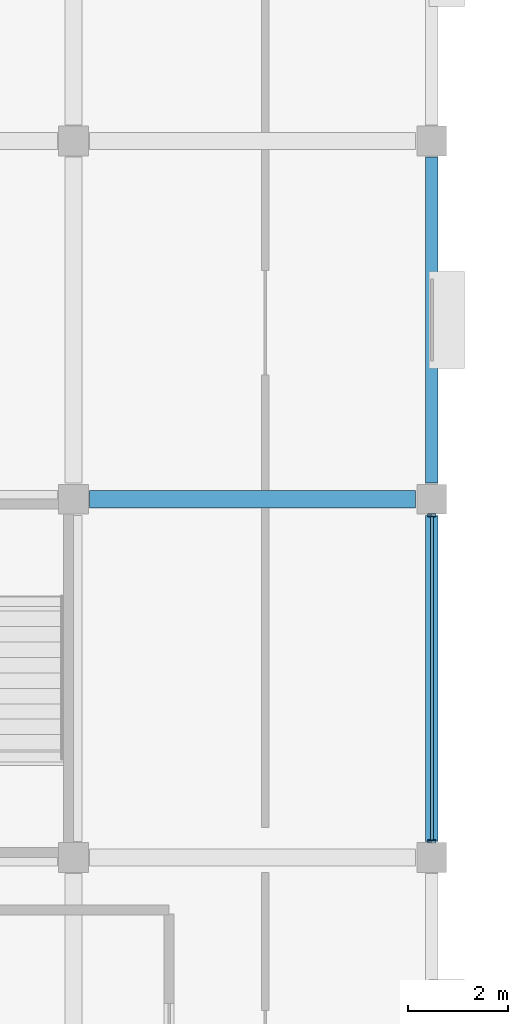
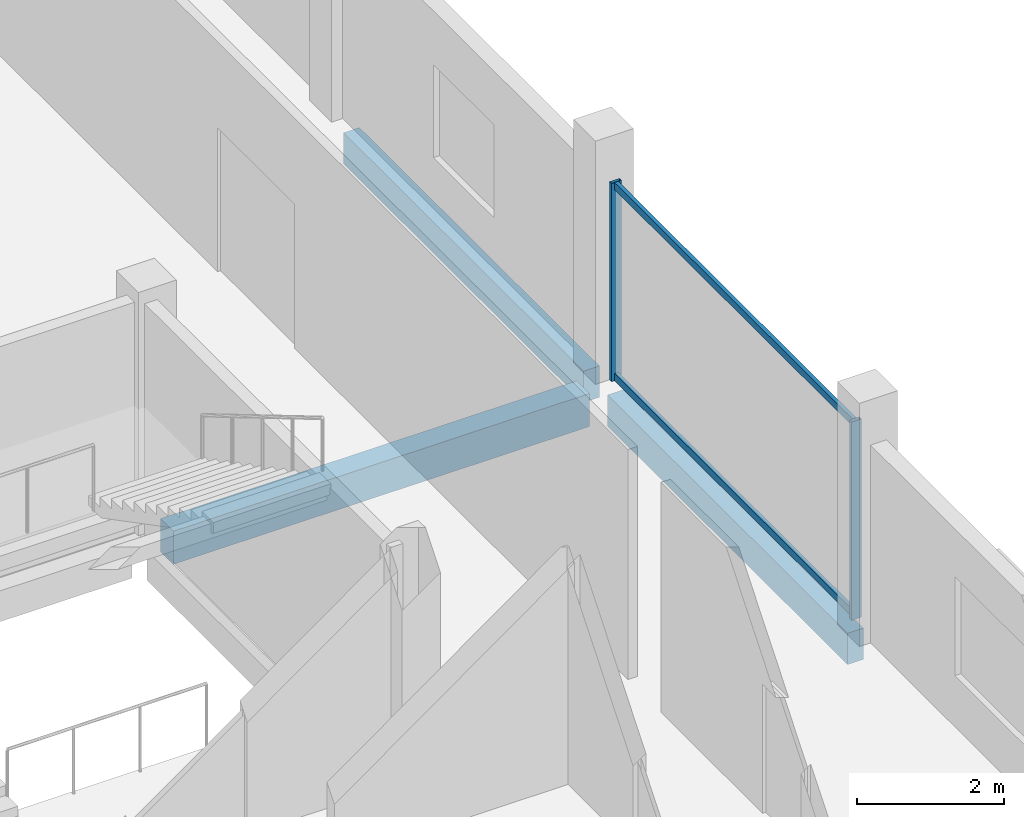
# One storey, part 4 of 26: 4 members, 3 beams, 1 element without a shape of its own.
"""IFC4 building model written with IfcOpenShell, lengths in metres."""

from ifc_helpers import new_model, si_unit, direction, frame, origin, origin_2d, place, context, subcontext, project, spatial, rectangle, hollow_rectangle, extrude, material, layer, layer_set, material_profile, profile_set, type_object, element, aggregate, save


model = new_model("IFC4")

# Units and contexts
model_context = context("Model", 3, precision=1e-05, world=origin(), true_north=direction((0.0, 1.0)))
body_context = subcontext(model_context, "Body", "Model", "MODEL_VIEW")
ifc_project = project(units=[si_unit("LENGTHUNIT", "METRE"), si_unit("AREAUNIT", "SQUARE_METRE"), si_unit("VOLUMEUNIT", "CUBIC_METRE"), si_unit("PLANEANGLEUNIT", "RADIAN"), si_unit("MASSUNIT", "GRAM", prefix="KILO")], contexts=[model_context])

# Site, building, storey
site_placement = place(None, origin())
site = spatial("IfcSite", under=ifc_project, at=site_placement, CompositionType="ELEMENT")
building_placement = place(site_placement, origin())
building = spatial("IfcBuilding", under=site, at=building_placement, Name="Kangsadwip Square Police Headquarters", CompositionType="ELEMENT")
storey_placement = place(building_placement, frame((0.0, 0.0, 25.64990234375)))
storey = spatial("IfcBuildingStorey", under=building, at=storey_placement, Name="L06", CompositionType="ELEMENT", Elevation=25.64990234375)

# Curtain wall, members
ifc_material_1 = material(Name="Thermally broken anodised aluminium AW-6063-T6", Category="aluminium")
ifc_layer = layer(ifc_material_1, 0.159912109375)
ifc_layer_set = layer_set([ifc_layer], Name="Thermally broken anodised aluminium AW-6063-T6")
curtain_wall_type = type_object("IfcCurtainWallType", Name="CourtScreen6610x3300", PredefinedType="USERDEFINED", material=ifc_layer_set)
curtain_wall_placement = place(storey_placement, origin())
curtain_wall = element("IfcCurtainWall", 1, at=curtain_wall_placement, inside=storey, type_object=curtain_wall_type, Name="Curtain Wall CW-L06-0216-0723", ObjectType="GLAZED_SCREEN", PredefinedType="USERDEFINED")
ifc_material_2 = material(Name="Thermally broken anodised aluminium AW-6063-T6", Category="aluminium")
ifc_material_profile_1 = material_profile(ifc_material_2, hollow_rectangle(XDim=0.06005859375, YDim=0.159912109375, WallThickness=0.00390625, at=origin_2d()), Name="CWM 160X60X4")
ifc_profile_set_1 = profile_set([ifc_material_profile_1], Name="Thermally broken anodised aluminium AW-6063-T6")
member_type_1 = type_object("IfcMemberType", Name="CwMullion135x60", PredefinedType="MULLION", material=ifc_profile_set_1)
member_1_placement = place(storey_placement, frame((21.60009765625, 72.324951171875, 0.0), z_axis=(0.0, 0.0, 1.0), x_axis=(0.0, 1.0, 0.0)))
member_1 = element("IfcMember", 2, at=member_1_placement, type_object=member_type_1, Name="CW-52 mullion 1", PredefinedType="MULLION", context=body_context, shape_type="SweptSolid", body=[
    extrude(hollow_rectangle(XDim=0.06005859375, YDim=0.159912109375, WallThickness=0.00390625, at=origin_2d()), origin(), (0.0, 0.0, 1.0), 3.300048828125),
])
member_2_placement = place(storey_placement, frame((21.60009765625, 78.875, 0.0), z_axis=(0.0, 0.0, 1.0), x_axis=(0.0, 1.0, 0.0)))
member_2 = element("IfcMember", 3, at=member_2_placement, type_object=member_type_1, Name="CW-52 mullion 2", PredefinedType="MULLION", context=body_context, shape_type="SweptSolid", body=[
    extrude(hollow_rectangle(XDim=0.06005859375, YDim=0.159912109375, WallThickness=0.00390625, at=origin_2d()), origin(), (0.0, 0.0, 1.0), 3.300048828125),
])
ifc_material_3 = material(Name="Thermally broken anodised aluminium AW-6063-T6", Category="aluminium")
ifc_material_profile_2 = material_profile(ifc_material_3, hollow_rectangle(XDim=0.06005859375, YDim=0.1201171875, WallThickness=0.00390625, at=origin_2d()), Name="CWT 120X60X4")
ifc_profile_set_2 = profile_set([ifc_material_profile_2], Name="Thermally broken anodised aluminium AW-6063-T6")
member_type_2 = type_object("IfcMemberType", Name="CwTransom120x55", PredefinedType="USERDEFINED", material=ifc_profile_set_2)
member_3_placement = place(storey_placement, frame((21.60009765625, 72.35498046875, 0.06005859375), z_axis=(0.0, 1.0, 0.0), x_axis=(-1.0, 0.0, 0.0)))
member_3 = element("IfcMember", 4, at=member_3_placement, type_object=member_type_2, Name="CW-52 transom 1.1", ObjectType="TRANSOM", PredefinedType="USERDEFINED", context=body_context, shape_type="SweptSolid", body=[
    extrude(hollow_rectangle(XDim=0.06005859375, YDim=0.1201171875, WallThickness=0.00390625, at=origin_2d()), origin(), (0.0, 0.0, 1.0), 6.489990234375),
])
member_4_placement = place(storey_placement, frame((21.60009765625, 72.35498046875, 3.239990234375), z_axis=(0.0, 1.0, 0.0), x_axis=(-1.0, 0.0, 0.0)))
member_4 = element("IfcMember", 5, at=member_4_placement, type_object=member_type_2, Name="CW-52 transom 1.2", ObjectType="TRANSOM", PredefinedType="USERDEFINED", context=body_context, shape_type="SweptSolid", body=[
    extrude(hollow_rectangle(XDim=0.06005859375, YDim=0.1201171875, WallThickness=0.00390625, at=origin_2d()), origin(), (0.0, 0.0, 1.0), 6.489990234375),
])
aggregate(curtain_wall, [member_1, member_2, member_3, member_4])

# Beams
ifc_material_4 = material(Name="Concrete M35 (35 MPa)", Category="concrete")
ifc_material_profile_3 = material_profile(ifc_material_4, rectangle(XDim=0.35009765625, YDim=0.550048828125, at=origin_2d()), Name="RC BM 550X350")
ifc_profile_set_3 = profile_set([ifc_material_profile_3], Name="Concrete M35 (35 MPa)")
beam_type_1 = type_object("IfcBeamType", Name="RcBeam550x350", PredefinedType="BEAM", material=ifc_profile_set_3)
beam_placement = place(storey_placement, frame((14.72509765625, 79.199951171875, -0.494873046875), z_axis=(1.0, 0.0, 0.0), x_axis=(0.0, 1.0, 0.0)))
element("IfcBeam", 6, at=beam_placement, inside=storey, type_object=beam_type_1, Name="Beam BM-L06-X-02-11", PredefinedType="BEAM", context=body_context, shape_type="SweptSolid", body=[
    extrude(rectangle(XDim=0.35009765625, YDim=0.550048828125, at=origin_2d()), origin(), (0.0, 0.0, 1.0), 6.5498046875),
])
ifc_material_5 = material(Name="Concrete M35 (35 MPa)", Category="concrete")
ifc_material_profile_4 = material_profile(ifc_material_5, rectangle(XDim=0.25, YDim=0.52001953125, at=origin_2d()), Name="RC SPN 520X250")
ifc_profile_set_4 = profile_set([ifc_material_profile_4], Name="Concrete M35 (35 MPa)")
beam_type_2 = type_object("IfcBeamType", Name="RcSpandrel520x250", PredefinedType="SPANDREL", material=ifc_profile_set_4)
for number, where, z_axis, x_axis, name in (
    (7, (21.60009765625, 72.324951171875, -0.47998046875), (0.0, 1.0, 0.0), (-1.0, 0.0, 0.0), "Beam BM-L06-Y-03-10"),
    (8, (21.60009765625, 79.52490234375, -0.47998046875), (0.0, 1.0, 0.0), (-1.0, 0.0, 0.0), "Beam BM-L06-Y-03-11"),
):
    element("IfcBeam", number, at=place(storey_placement, frame(where, z_axis=z_axis, x_axis=x_axis)), inside=storey, type_object=beam_type_2, Name=name, PredefinedType="SPANDREL", context=body_context, shape_type="SweptSolid", body=[
        extrude(rectangle(XDim=0.25, YDim=0.52001953125, at=origin_2d()), origin(), (0.0, 0.0, 1.0), 6.550048828125),
    ])

save(model, "model.ifc")
